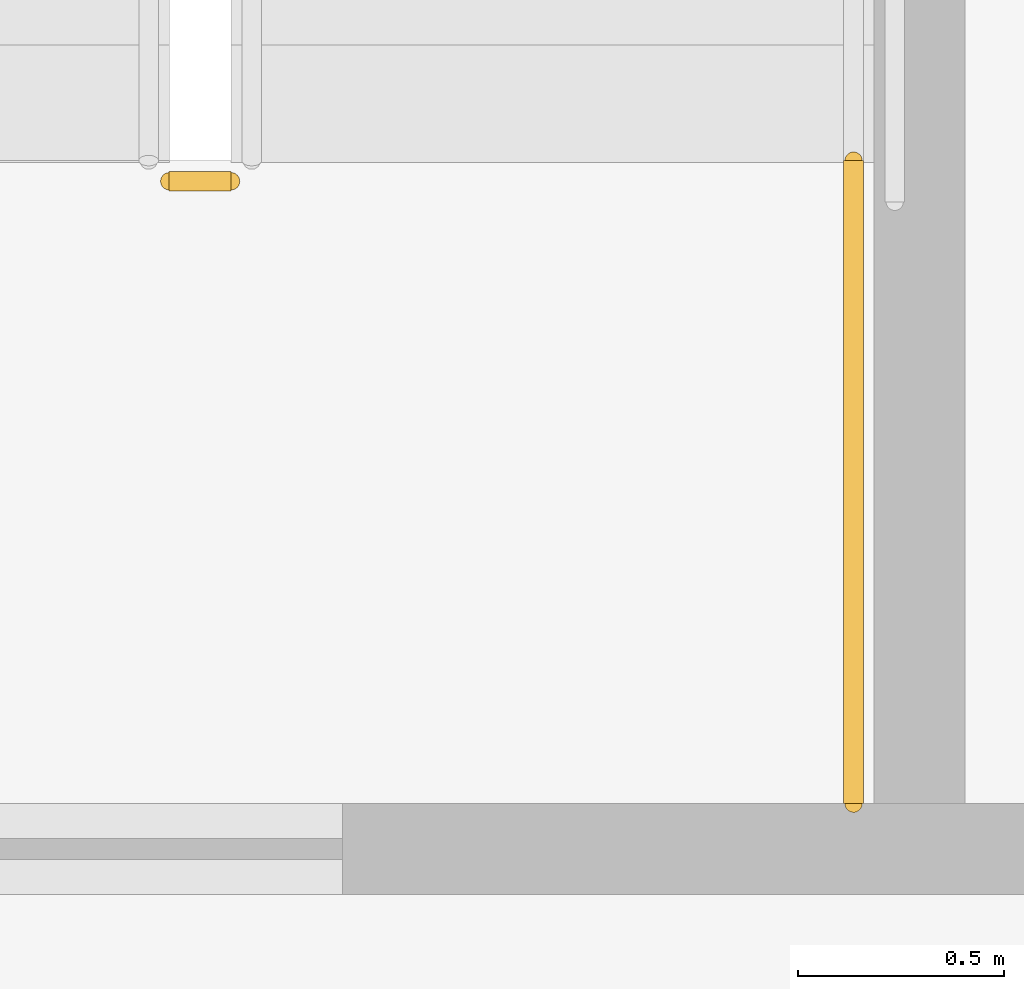
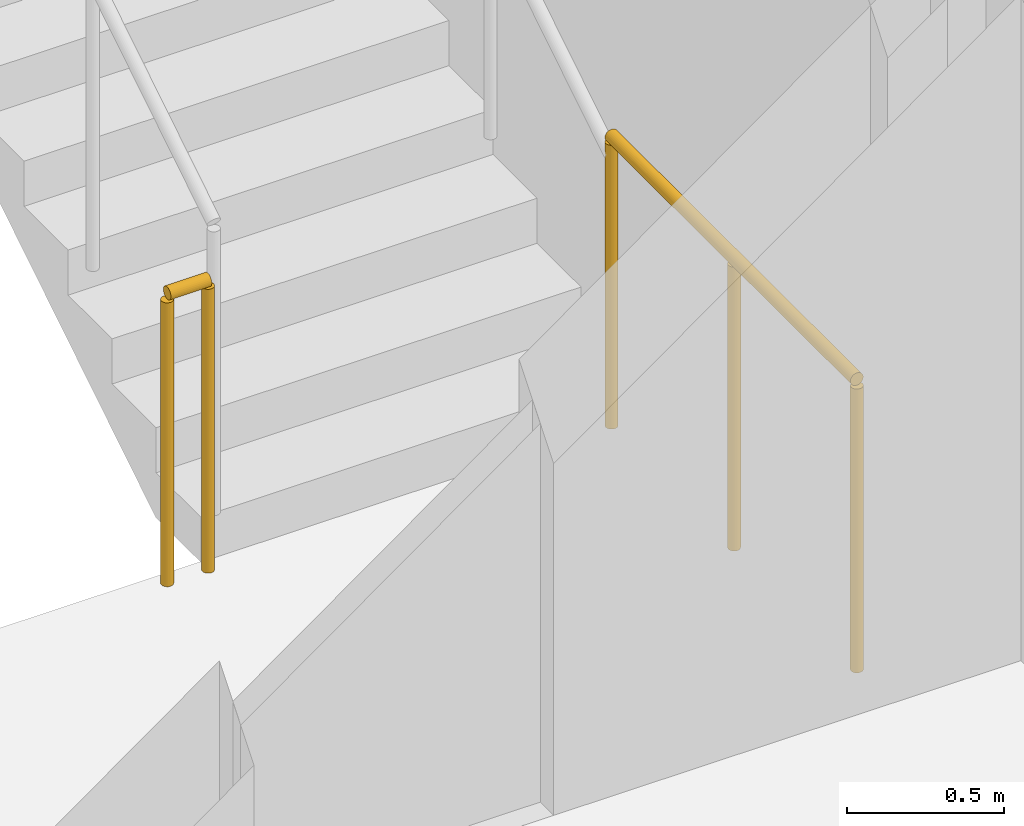
# One storey, part 13 of 16: 2 railings.
"""IFC4 building model written with IfcOpenShell, lengths in metres."""

from ifc_helpers import new_model, si_unit, direction, frame, origin, origin_2d, place, context, subcontext, project, spatial, circle, extrude, material, type_object, element, save


model = new_model("IFC4")

# Units and contexts
model_context = context("Model", 3, precision=1e-05, world=origin(), true_north=direction((0.0, 1.0)))
body_context = subcontext(model_context, "Body", "Model", "MODEL_VIEW")
ifc_project = project(units=[si_unit("LENGTHUNIT", "METRE"), si_unit("AREAUNIT", "SQUARE_METRE"), si_unit("VOLUMEUNIT", "CUBIC_METRE"), si_unit("PLANEANGLEUNIT", "RADIAN"), si_unit("MASSUNIT", "GRAM", prefix="KILO")], contexts=[model_context])

# Site, building, storey
site_placement = place(None, origin())
site = spatial("IfcSite", under=ifc_project, at=site_placement, CompositionType="ELEMENT")
building_placement = place(site_placement, origin())
building = spatial("IfcBuilding", under=site, at=building_placement, Name="Khairoan Windgate Tower", CompositionType="ELEMENT")
storey_placement = place(building_placement, frame((0.0, 0.0, 139.39990234375)))
storey = spatial("IfcBuildingStorey", under=building, at=storey_placement, Name="L32", CompositionType="ELEMENT", Elevation=139.39990234375)

# Railings
ifc_material = material(Name="Steel S355", Category="steel")
railing_type = type_object("IfcRailingType", Name="Stairwell Safety Guardrail SGR-1150", PredefinedType="GUARDRAIL", material=ifc_material)
railing_1_placement = place(storey_placement, frame((-17.7099609375, 2.909912109375, 0.0)))
element("IfcRailing", 1, at=railing_1_placement, inside=storey, type_object=railing_type, Name="L32 ST2 stair guard 7", PredefinedType="GUARDRAIL", context=body_context, shape_type="SweptSolid", body=[
    extrude(circle(Radius=0.02392578125, at=origin_2d()), frame((0.0, 0.0, 1.1259765625), z_axis=(-1.0, 0.0, 0.0), x_axis=(0.0, -1.0, 0.0)), (0.0, 0.0, 1.0), 0.150146484375),
    extrude(circle(Radius=0.02099609375, at=origin_2d()), origin(), (0.0, 0.0, 1.0), 1.101806640625),
    extrude(circle(Radius=0.02099609375, at=origin_2d()), frame((-0.150146484375, 0.0, 0.0)), (0.0, 0.0, 1.0), 1.101806640625),
])
railing_2_placement = place(storey_placement, frame((-16.199951171875, 1.39990234375, 0.0)))
element("IfcRailing", 2, at=railing_2_placement, inside=storey, type_object=railing_type, Name="L32 ST2 stair guard 8", PredefinedType="GUARDRAIL", context=body_context, shape_type="SweptSolid", body=[
    extrude(circle(Radius=0.02392578125, at=origin_2d()), frame((0.0, 0.0, 1.1259765625), z_axis=(0.0, 1.0, 0.0), x_axis=(-1.0, 0.0, 0.0)), (0.0, 0.0, 1.0), 1.56005859375),
    extrude(circle(Radius=0.02099609375, at=origin_2d()), origin(), (0.0, 0.0, 1.0), 1.101806640625),
    extrude(circle(Radius=0.02099609375, at=origin_2d()), frame((0.0, 0.780029296875, 0.0)), (0.0, 0.0, 1.0), 1.101806640625),
    extrude(circle(Radius=0.02099609375, at=origin_2d()), frame((0.0, 1.56005859375, 0.0)), (0.0, 0.0, 1.0), 1.101806640625),
])

save(model, "model.ifc")
